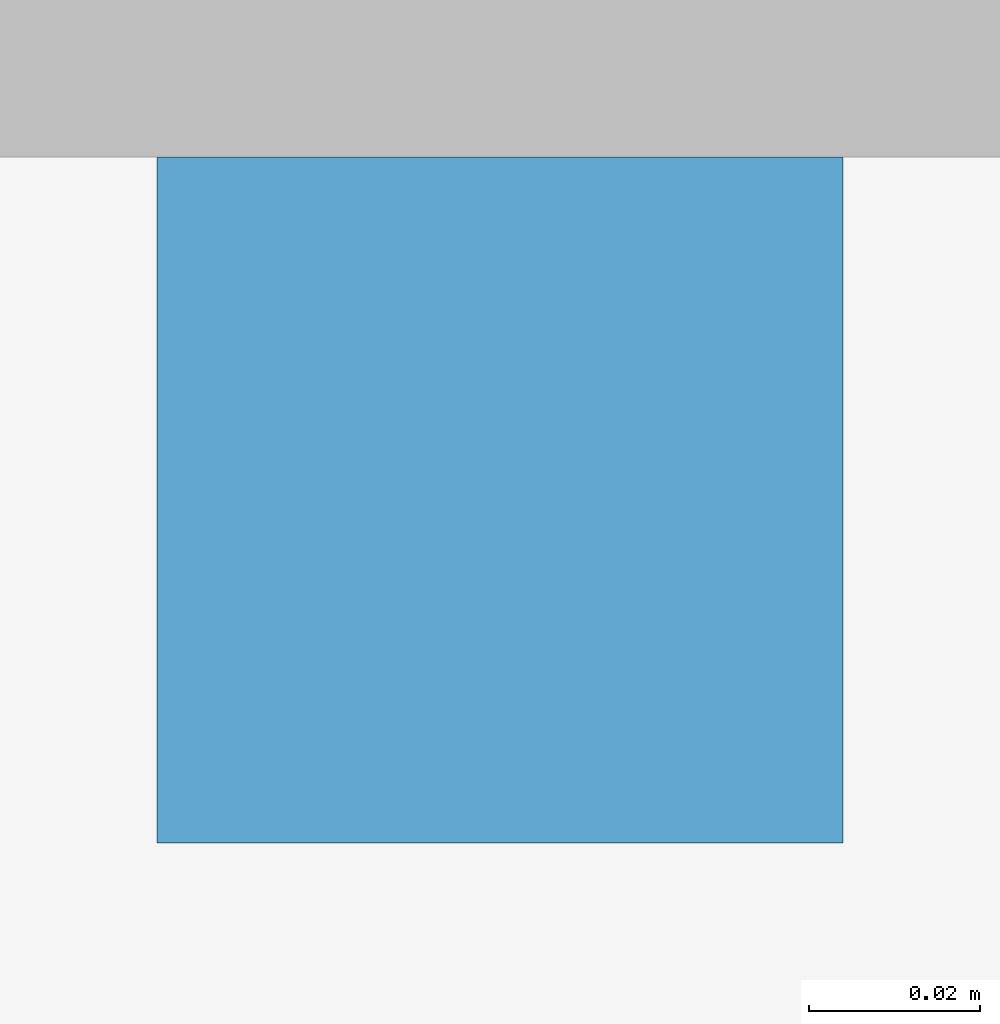
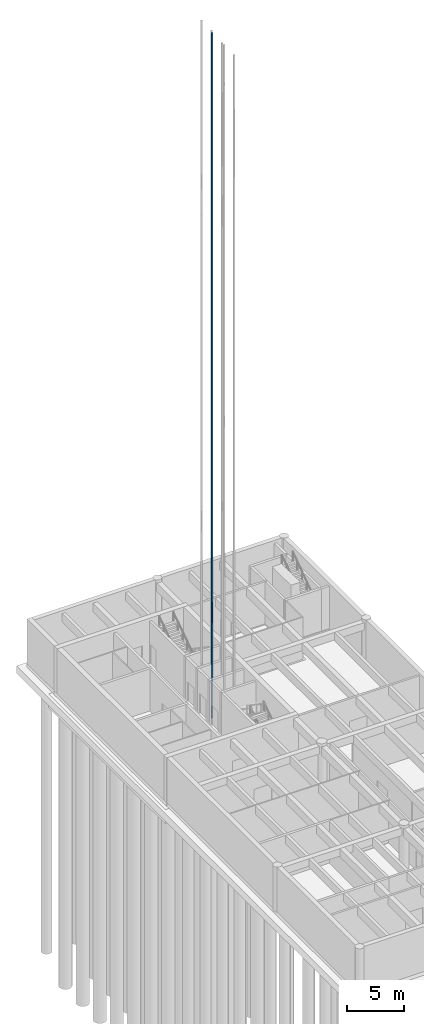
# One storey, part 18 of 24: 1 building element part.
"""IFC4 building model written with IfcOpenShell, lengths in metres."""

from ifc_helpers import new_model, si_unit, direction, frame, origin, origin_2d, place, context, subcontext, project, spatial, rectangle, extrude, element, save


model = new_model("IFC4")

# Units and contexts
model_context = context("Model", 3, precision=1e-05, world=origin(), true_north=direction((0.0, 1.0)))
body_context = subcontext(model_context, "Body", "Model", "MODEL_VIEW")
ifc_project = project(units=[si_unit("LENGTHUNIT", "METRE"), si_unit("AREAUNIT", "SQUARE_METRE"), si_unit("VOLUMEUNIT", "CUBIC_METRE"), si_unit("PLANEANGLEUNIT", "RADIAN"), si_unit("MASSUNIT", "GRAM", prefix="KILO")], contexts=[model_context])

# Site, building, storey
site_placement = place(None, origin())
site = spatial("IfcSite", under=ifc_project, at=site_placement, CompositionType="ELEMENT")
building_placement = place(site_placement, origin())
building = spatial("IfcBuilding", under=site, at=building_placement, Name="Fogon Plaza Fire Station and Headquarters Tower", CompositionType="ELEMENT")
storey_placement = place(building_placement, frame((0.0, 0.0, -4.800048828125)))
storey = spatial("IfcBuildingStorey", under=building, at=storey_placement, Name="B1", CompositionType="ELEMENT", Elevation=-4.800048828125)

# Building element part
building_element_part_placement = place(storey_placement, frame((74.52490234375, 44.0849609375, -1.19970703125), z_axis=(0.0, 0.0, 1.0), x_axis=(1.0, 0.0, 0.0)))
element("IfcBuildingElementPart", 1, at=building_element_part_placement, inside=storey, Name="Guide rail LP4 2", ObjectType="Guide rail", PredefinedType="USERDEFINED", context=body_context, shape_type="SweptSolid", body=[
    extrude(rectangle(XDim=0.080078125, YDim=0.080078125, at=origin_2d()), origin(), (0.0, 0.0, 1.0), 73.199951171875),
])

save(model, "model.ifc")
